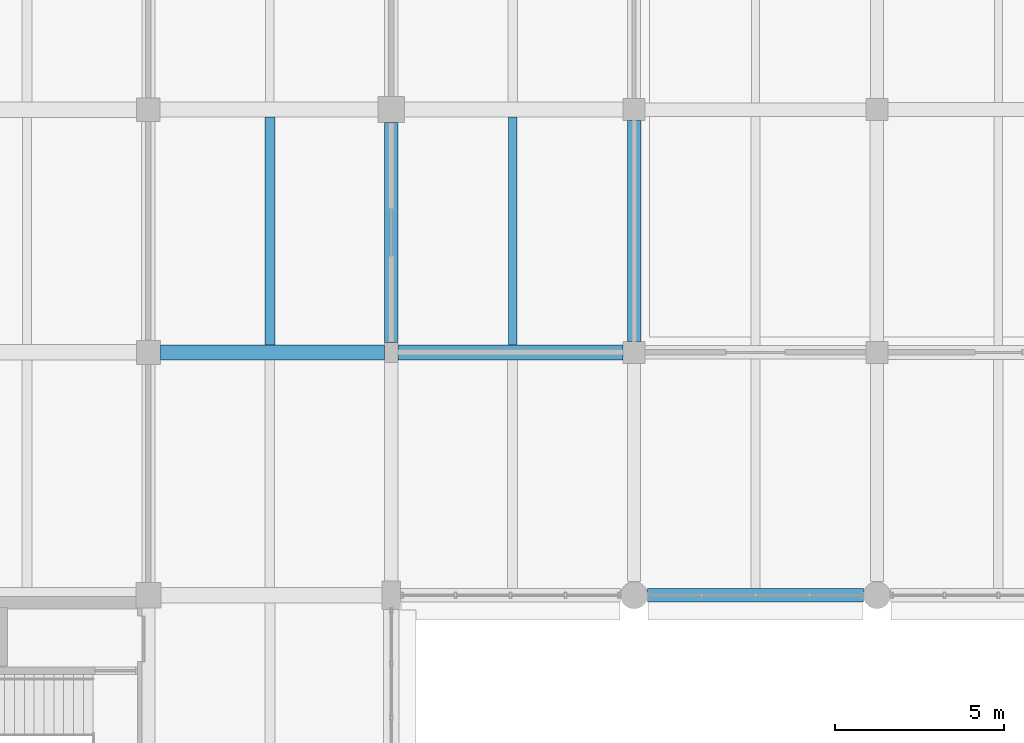
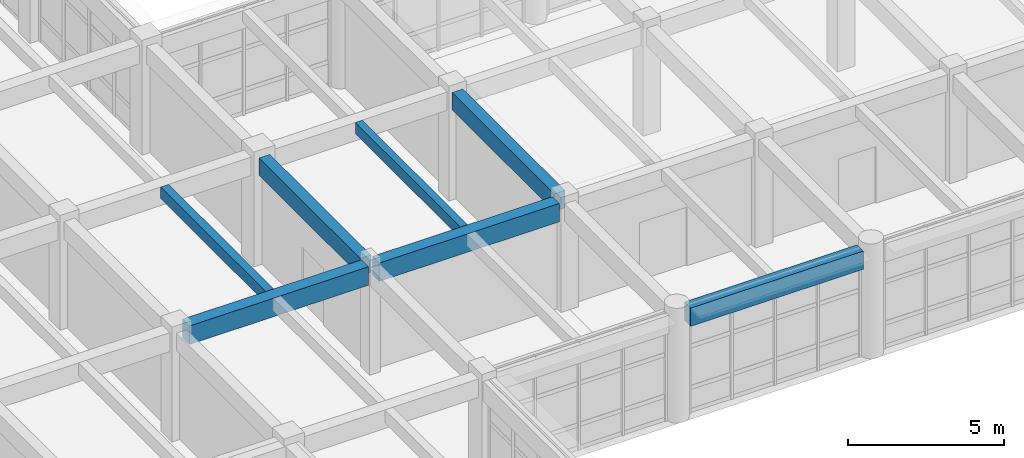
# One storey, part 24 of 171: 7 beams.
"""IFC4 building model written with IfcOpenShell, lengths in metres."""

from ifc_helpers import new_model, si_unit, direction, frame, origin, origin_2d, place, context, subcontext, project, spatial, rectangle, extrude, material, material_profile, profile_set, type_object, element, save


model = new_model("IFC4")

# Units and contexts
model_context = context("Model", 3, precision=1e-05, world=origin(), true_north=direction((0.0, 1.0)))
body_context = subcontext(model_context, "Body", "Model", "MODEL_VIEW")
ifc_project = project(units=[si_unit("LENGTHUNIT", "METRE"), si_unit("AREAUNIT", "SQUARE_METRE"), si_unit("VOLUMEUNIT", "CUBIC_METRE"), si_unit("PLANEANGLEUNIT", "RADIAN"), si_unit("MASSUNIT", "GRAM", prefix="KILO")], contexts=[model_context])

# Site, building, storey
site_placement = place(None, origin())
site = spatial("IfcSite", under=ifc_project, at=site_placement, CompositionType="ELEMENT")
building_placement = place(site_placement, origin())
building = spatial("IfcBuilding", under=site, at=building_placement, Name="Thalmaran Polytechnic", CompositionType="ELEMENT")
storey_placement = place(building_placement, frame((0.0, 0.0, 5.39990234375)))
storey = spatial("IfcBuildingStorey", under=building, at=storey_placement, Name="L01", CompositionType="ELEMENT", Elevation=5.39990234375)

# Beams
ifc_material = material(Name="Concrete C40/50", Category="concrete")
ifc_material_profile_1 = material_profile(ifc_material, rectangle(XDim=0.449951171875, YDim=0.72509765625, at=origin_2d()), Name="RC 450x725")
ifc_profile_set_1 = profile_set([ifc_material_profile_1], Name="Concrete C40/50")
beam_type_1 = type_object("IfcBeamType", Name="BM-RC04", PredefinedType="BEAM", material=ifc_profile_set_1)
beam_1_placement = place(storey_placement, frame((14.760009765625, 57.60009765625, 3.84765625), z_axis=(1.0, 0.0, 0.0), x_axis=(0.0, 1.0, 0.0)))
element("IfcBeam", 1, at=beam_1_placement, inside=storey, type_object=beam_type_1, Name="Grid Beam B04 L01 X(2,8)", PredefinedType="BEAM", context=body_context, shape_type="SweptSolid", body=[
    extrude(rectangle(XDim=0.449951171875, YDim=0.72509765625, at=origin_2d()), origin(), (0.0, 0.0, 1.0), 6.639892578125),
])
ifc_material_profile_2 = material_profile(ifc_material, rectangle(XDim=0.300048828125, YDim=0.449951171875, at=origin_2d()), Name="RC 300x450")
ifc_profile_set_2 = profile_set([ifc_material_profile_2], Name="Concrete C40/50")
beam_type_2 = type_object("IfcBeamType", Name="BM-RC12", PredefinedType="JOIST", material=ifc_profile_set_2)
beam_2_placement = place(storey_placement, frame((18.0, 57.824951171875, 3.985107421875), z_axis=(0.0, 1.0, 0.0), x_axis=(-1.0, 0.0, 0.0)))
element("IfcBeam", 2, at=beam_2_placement, inside=storey, type_object=beam_type_2, Name="Secondary Floor Rib RB02 L01 (2,8)", PredefinedType="JOIST", context=body_context, shape_type="SweptSolid", body=[
    extrude(rectangle(XDim=0.300048828125, YDim=0.449951171875, at=origin_2d()), origin(), (0.0, 0.0, 1.0), 6.75),
])
ifc_material_profile_3 = material_profile(ifc_material, rectangle(XDim=0.39990234375, YDim=0.719970703125, at=origin_2d()), Name="RC 400x720")
ifc_profile_set_3 = profile_set([ifc_material_profile_3], Name="Concrete C40/50")
beam_type_3 = type_object("IfcBeamType", Name="BM-SP01", PredefinedType="SPANDREL", material=ifc_profile_set_3)
beam_3_placement = place(storey_placement, frame((29.199951171875, 50.39990234375, 3.85009765625), z_axis=(1.0, 0.0, 0.0), x_axis=(0.0, 1.0, 0.0)))
element("IfcBeam", 3, at=beam_3_placement, inside=storey, type_object=beam_type_3, Name="Grid Beam SP01 L01 X(4,7)", PredefinedType="SPANDREL", context=body_context, shape_type="SweptSolid", body=[
    extrude(rectangle(XDim=0.39990234375, YDim=0.719970703125, at=origin_2d()), origin(), (0.0, 0.0, 1.0), 6.400146484375),
])
ifc_material_profile_4 = material_profile(ifc_material, rectangle(XDim=0.43994140625, YDim=0.719970703125, at=origin_2d()), Name="RC 440x720")
ifc_profile_set_4 = profile_set([ifc_material_profile_4], Name="Concrete C40/50")
beam_type_4 = type_object("IfcBeamType", Name="BM-ZB03", PredefinedType="BEAM", material=ifc_profile_set_4)
beam_4_placement = place(storey_placement, frame((21.800048828125, 57.60009765625, 3.85009765625), z_axis=(1.0, 0.0, 0.0), x_axis=(0.0, 1.0, 0.0)))
element("IfcBeam", 4, at=beam_4_placement, inside=storey, type_object=beam_type_4, Name="Grid Beam ZB03 L01 X(3,8)", PredefinedType="BEAM", context=body_context, shape_type="SweptSolid", body=[
    extrude(rectangle(XDim=0.43994140625, YDim=0.719970703125, at=origin_2d()), origin(), (0.0, 0.0, 1.0), 6.675048828125),
])
ifc_material_profile_5 = material_profile(ifc_material, rectangle(XDim=0.39990234375, YDim=0.68505859375, at=origin_2d()), Name="RC 400x685")
ifc_profile_set_5 = profile_set([ifc_material_profile_5], Name="Concrete C40/50")
beam_type_5 = type_object("IfcBeamType", Name="BM-ZB07", PredefinedType="BEAM", material=ifc_profile_set_5)
beam_5_placement = place(storey_placement, frame((21.60009765625, 57.89990234375, 3.86767578125), z_axis=(0.0, 1.0, 0.0), x_axis=(-1.0, 0.0, 0.0)))
element("IfcBeam", 5, at=beam_5_placement, inside=storey, type_object=beam_type_5, Name="Grid Beam ZB07 L01 Y(3,8)", PredefinedType="BEAM", context=body_context, shape_type="SweptSolid", body=[
    extrude(rectangle(XDim=0.39990234375, YDim=0.68505859375, at=origin_2d()), origin(), (0.0, 0.0, 1.0), 6.510009765625),
])
beam_6_placement = place(storey_placement, frame((28.800048828125, 57.925048828125, 3.86767578125), z_axis=(0.0, 1.0, 0.0), x_axis=(-1.0, 0.0, 0.0)))
element("IfcBeam", 6, at=beam_6_placement, inside=storey, type_object=beam_type_5, Name="Grid Beam ZB07 L01 Y(4,8)", PredefinedType="BEAM", context=body_context, shape_type="SweptSolid", body=[
    extrude(rectangle(XDim=0.39990234375, YDim=0.68505859375, at=origin_2d()), origin(), (0.0, 0.0, 1.0), 6.550048828125),
])
ifc_material_profile_6 = material_profile(ifc_material, rectangle(XDim=0.260009765625, YDim=0.43994140625, at=origin_2d()), Name="RC 260x440")
ifc_profile_set_6 = profile_set([ifc_material_profile_6], Name="Concrete C40/50")
beam_type_6 = type_object("IfcBeamType", Name="BM-ZJ02", PredefinedType="JOIST", material=ifc_profile_set_6)
beam_7_placement = place(storey_placement, frame((25.199951171875, 57.820068359375, 3.989990234375), z_axis=(0.0, 1.0, 0.0), x_axis=(-1.0, 0.0, 0.0)))
element("IfcBeam", 7, at=beam_7_placement, inside=storey, type_object=beam_type_6, Name="Secondary Floor Rib ZJ02 L01 (3,8)", PredefinedType="JOIST", context=body_context, shape_type="SweptSolid", body=[
    extrude(rectangle(XDim=0.260009765625, YDim=0.43994140625, at=origin_2d()), origin(), (0.0, 0.0, 1.0), 6.760009765625),
])

save(model, "model.ifc")
